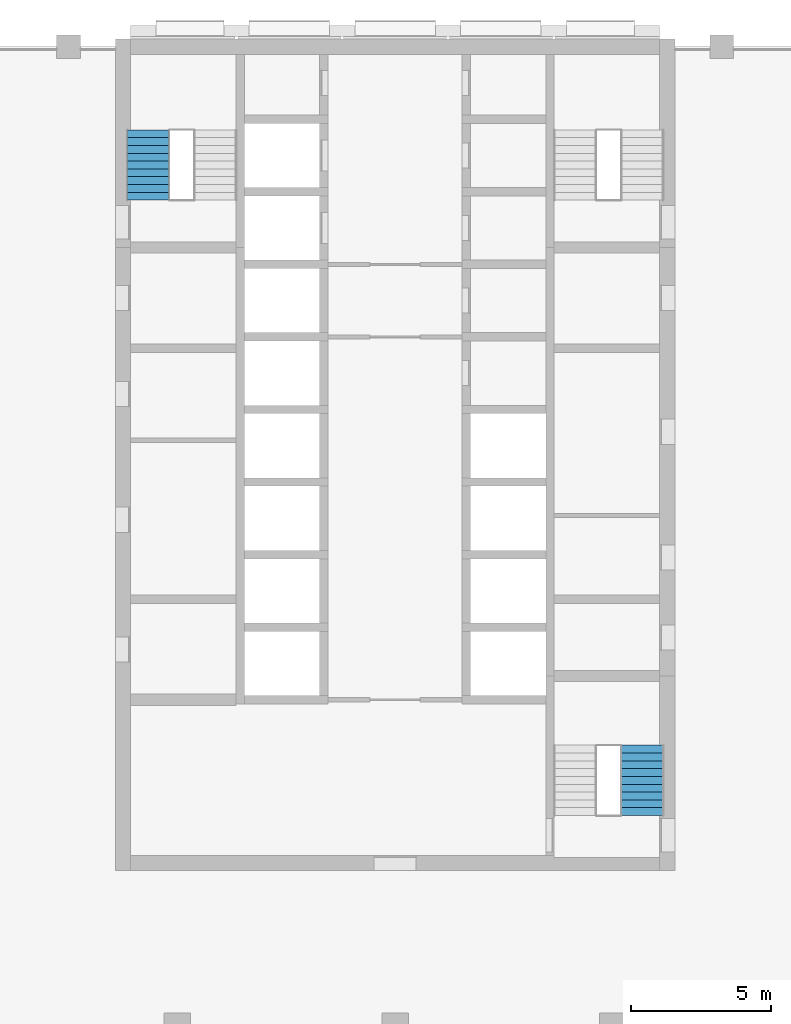
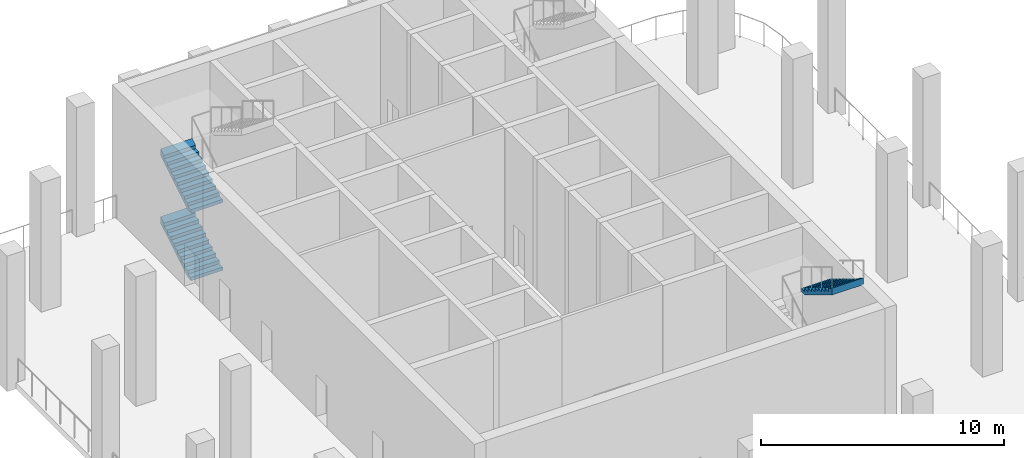
# One storey, part 5 of 10: 3 stair flights, 2 elements without a shape of their own.
"""IFC4 building model written with IfcOpenShell, lengths in metres."""

import ifcopenshell
import ifcopenshell.guid

model = None  # the IFC model being written
_history = None  # IfcOwnerHistory: only IFC2X3 demands one
_inside = {}  # id of a spatial element -> (the spatial element, [elements in it])
_under = {}  # id of a project, library or spatial element -> (it, [spatial elements below it])
_declared = {}  # id of a project -> (the project, [libraries it declares])
_typed = {}  # id of a type object -> (the type object, [elements of that type])
_made_of = {}  # id of a material, layer set ... -> (it, [elements and type objects made of it])


def new_model(schema):
    """Start an empty IFC model of exactly this schema.

    Asked for "IFC4X3", IfcOpenShell would pick the latest addendum, in which some entities
    have other attributes; the version numbers below select the first issue.
    IFC2X3 requires an IfcOwnerHistory on every rooted entity: one is made here for all.
    """
    global model, _history
    if schema == "IFC4X3":
        model = ifcopenshell.file(schema_version=(4, 3, 0, 0))
    else:
        model = ifcopenshell.file(schema=schema)
    _inside.clear()
    _under.clear()
    _declared.clear()
    _typed.clear()
    _made_of.clear()
    _history = None
    if model.schema == "IFC2X3":
        org = make("IfcOrganization", Name="unknown")
        user = make(
            "IfcPersonAndOrganization",
            ThePerson=make("IfcPerson", FamilyName="unknown"),
            TheOrganization=org,
        )
        app = make(
            "IfcApplication",
            ApplicationDeveloper=org,
            Version="unknown",
            ApplicationFullName="unknown",
            ApplicationIdentifier="unknown",
        )
        _history = make(
            "IfcOwnerHistory",
            OwningUser=user,
            OwningApplication=app,
            ChangeAction="ADDED",
            CreationDate=0,
        )
    return model


def make(cls, **values):
    """One entity of the class cls with the attributes given. An attribute that is None is left unset."""
    return model.create_entity(
        cls, **{name: value for name, value in values.items() if value is not None}
    )


def rooted(cls, **values):
    """An entity with a GlobalId (a new one), such as an element, a storey or a relation."""
    return make(cls, GlobalId=ifcopenshell.guid.new(), OwnerHistory=_history, **values)


def si_unit(unit_type, name, prefix=None):
    """IfcSIUnit, for example si_unit("LENGTHUNIT", "METRE", prefix="MILLI")."""
    return make("IfcSIUnit", UnitType=unit_type, Prefix=prefix, Name=name)


def assignment(units):
    """IfcUnitAssignment: the units of a project."""
    return None if units is None else make("IfcUnitAssignment", Units=units)


def point(xyz):
    """IfcCartesianPoint."""
    return None if xyz is None else make("IfcCartesianPoint", Coordinates=xyz)


def direction(xyz):
    """IfcDirection."""
    return None if xyz is None else make("IfcDirection", DirectionRatios=xyz)


def frame(location, z_axis=None, x_axis=None):
    """IfcAxis2Placement3D, a coordinate frame: its origin and axes. An axis left out is left unset."""
    return make(
        "IfcAxis2Placement3D",
        Location=point(location),
        Axis=direction(z_axis),
        RefDirection=direction(x_axis),
    )


def origin():
    """The frame at (0, 0, 0) with its axes left unset."""
    return frame((0.0, 0.0, 0.0))


def place(relative_to, where):
    """IfcLocalPlacement: puts the frame where relative to a parent placement (None: the world)."""
    return make(
        "IfcLocalPlacement", PlacementRelTo=relative_to, RelativePlacement=where
    )


def context(
    kind, dimensions, precision=None, world=None, true_north=None, identifier=None
):
    """IfcGeometricRepresentationContext, for example the 3D "Model" context."""
    return make(
        "IfcGeometricRepresentationContext",
        ContextIdentifier=identifier,
        ContextType=kind,
        CoordinateSpaceDimension=dimensions,
        Precision=precision,
        WorldCoordinateSystem=world,
        TrueNorth=true_north,
    )


def subcontext(parent, identifier, kind, view, scale=None):
    """IfcGeometricRepresentationSubContext, for example "Body" below "Model"."""
    return make(
        "IfcGeometricRepresentationSubContext",
        ContextIdentifier=identifier,
        ContextType=kind,
        ParentContext=parent,
        TargetScale=scale,
        TargetView=view,
    )


def project(units=None, contexts=None):
    """IfcProject with its units and contexts."""
    return rooted(
        "IfcProject",
        Name="project",
        RepresentationContexts=contexts,
        UnitsInContext=assignment(units),
    )


def spatial(cls, under=None, at=None, **own):
    """A site, building, storey or space (cls), placed at a placement, below another one or the project."""
    s = rooted(cls, ObjectPlacement=at, **own)
    if under is not None:
        _under.setdefault(under.id(), (under, []))[1].append(s)
    return s


def point_list(points):
    """IfcCartesianPointList2D or 3D."""
    cls = (
        "IfcCartesianPointList2D" if len(points[0]) == 2 else "IfcCartesianPointList3D"
    )
    return make(cls, CoordList=points)


def triangles(points, corners, closed=None, point_numbers=None):
    """IfcTriangulatedFaceSet: each triangle names its three corners, points numbered from 1."""
    return make(
        "IfcTriangulatedFaceSet",
        Coordinates=point_list(points),
        Closed=closed,
        CoordIndex=corners,
        PnIndex=point_numbers,
    )


def shape(context_of_items, identifier, shape_type, items):
    """IfcShapeRepresentation: the items that make up one representation, for example the "Body"."""
    return make(
        "IfcShapeRepresentation",
        ContextOfItems=context_of_items,
        RepresentationIdentifier=identifier,
        RepresentationType=shape_type,
        Items=items,
    )


def material(Name=None, Category=None):
    """IfcMaterial."""
    return make("IfcMaterial", Name=Name, Category=Category)


def made_of(thing, what):
    """Note that an element or type object is made of a material, layer set ...; save() writes the relation."""
    if what is not None:
        _made_of.setdefault(what.id(), (what, []))[1].append(thing)
    return thing


def type_object(cls, material=None, **own):
    """A type object (cls), such as IfcWallType, which elements share."""
    return made_of(rooted(cls, **own), material)


def element(
    cls,
    number,
    at=None,
    inside=None,
    cuts=None,
    type_object=None,
    material=None,
    context=None,
    identifier="Body",
    shape_type=None,
    held_by="IfcProductDefinitionShape",
    body=None,
    shapes=None,
    **own,
):
    """One element of the class cls, such as IfcWall. Its Tag is "e" and its number.

    at: its placement. inside: the storey or other place that contains it. cuts: it is an
    opening in that element (IfcRelVoidsElement). A single representation is given by context,
    identifier, shape_type and body (its items); several are given by shapes. held_by: the class
    of the entity that holds the representations. save() writes the other relations.
    """
    e = rooted(cls, Tag="e%d" % number, ObjectPlacement=at, **own)
    if body is not None:
        shapes = [shape(context, identifier, shape_type, body)]
    if shapes is not None:
        e.Representation = make(held_by, Representations=shapes)
    if inside is not None:
        _inside.setdefault(inside.id(), (inside, []))[1].append(e)
    if cuts is not None:
        rooted(
            "IfcRelVoidsElement", RelatingBuildingElement=cuts, RelatedOpeningElement=e
        )
    if type_object is not None:
        _typed.setdefault(type_object.id(), (type_object, []))[1].append(e)
    return made_of(e, material)


def aggregate(whole, parts):
    """IfcRelAggregates: a whole, such as a stair, and the parts it consists of."""
    return rooted("IfcRelAggregates", RelatingObject=whole, RelatedObjects=parts)


def save(model, path):
    """Write the relations noted so far, then the file.

    IfcRelAggregates (storeys below a building ...), IfcRelContainedInSpatialStructure (elements
    in a storey), IfcRelDefinesByType, IfcRelAssociatesMaterial and IfcRelDeclares: one each for
    every whole, place, type object, material and project.
    """
    for whole, parts in _under.values():
        aggregate(whole, parts)
    for where, things in _inside.values():
        rooted(
            "IfcRelContainedInSpatialStructure",
            RelatedElements=things,
            RelatingStructure=where,
        )
    for kind, things in _typed.values():
        rooted("IfcRelDefinesByType", RelatedObjects=things, RelatingType=kind)
    for what, things in _made_of.values():
        rooted("IfcRelAssociatesMaterial", RelatedObjects=things, RelatingMaterial=what)
    for by, libraries in _declared.values():
        rooted("IfcRelDeclares", RelatingContext=by, RelatedDefinitions=libraries)
    model.write(path)


model = new_model("IFC4")

# Units and contexts
model_context = context("Model", 3, precision=1e-05, world=origin(), true_north=direction((0.0, 1.0)))
body_context = subcontext(model_context, "Body", "Model", "MODEL_VIEW")
ifc_project = project(units=[si_unit("LENGTHUNIT", "METRE"), si_unit("AREAUNIT", "SQUARE_METRE"), si_unit("VOLUMEUNIT", "CUBIC_METRE"), si_unit("PLANEANGLEUNIT", "RADIAN"), si_unit("MASSUNIT", "GRAM", prefix="KILO")], contexts=[model_context])

# Site, building, storey
site_placement = place(None, origin())
site = spatial("IfcSite", under=ifc_project, at=site_placement, CompositionType="ELEMENT")
building_placement = place(site_placement, origin())
building = spatial("IfcBuilding", under=site, at=building_placement, Name="Ludao Terraces", CompositionType="ELEMENT")
storey_placement = place(building_placement, frame((0.0, 0.0, 116.89990234375)))
storey = spatial("IfcBuildingStorey", under=building, at=storey_placement, Name="L32", CompositionType="ELEMENT", Elevation=116.89990234375)

# Stair, stair flights
ifc_material = material(Name="Concrete C40", Category="concrete")
stair_type = type_object("IfcStairType", Name="INT Stair", PredefinedType="HALF_TURN_STAIR", material=ifc_material)
stair_1_placement = place(storey_placement, origin())
stair_1 = element("IfcStair", 1, at=stair_1_placement, inside=storey, type_object=stair_type, Name="EXIT STAIR 1", PredefinedType="HALF_TURN_STAIR")
stair_flight_type = type_object("IfcStairFlightType", Name="INT Stair flight", PredefinedType="STRAIGHT", material=ifc_material)
stair_flight_1_placement = place(storey_placement, frame((76.14990234375, 79.0, 0.0), z_axis=(0.0, 0.0, 1.0), x_axis=(0.0, 1.0, 0.0)))
stair_flight_1 = element("IfcStairFlight", 2, at=stair_flight_1_placement, type_object=stair_flight_type, Name="ST1 flight 1", NumberOfRisers=10, NumberOfTreads=9, PredefinedType="STRAIGHT", RiserHeight=0.17, TreadLength=0.28, context=body_context, shape_type="Tessellation", body=[
    triangles([(0.0, -0.75, 0.0), (0.0, -0.5, 0.0), (0.0, -0.25, 0.0), (0.0, 0.0, 0.0), (0.0, 0.25, 0.0), (0.0, 0.5, 0.0), (0.0, 0.75, 0.0), (0.0, -0.75, 0.169921875), (0.0, -0.5, 0.169921875), (0.0, -0.25, 0.169921875), (0.0, 0.0, 0.169921875), (0.0, 0.25, 0.169921875), (0.0, 0.5, 0.169921875), (0.0, 0.75, 0.169921875), (0.280029296875, -0.75, 0.169921875), (0.280029296875, -0.5, 0.169921875), (0.280029296875, -0.25, 0.169921875), (0.280029296875, 0.0, 0.169921875), (0.280029296875, 0.25, 0.169921875), (0.280029296875, 0.5, 0.169921875), (0.280029296875, 0.75, 0.169921875), (0.280029296875, -0.75, 0.340087890625), (0.280029296875, -0.5, 0.340087890625), (0.280029296875, -0.25, 0.340087890625), (0.280029296875, 0.0, 0.340087890625), (0.280029296875, 0.25, 0.340087890625), (0.280029296875, 0.5, 0.340087890625), (0.280029296875, 0.75, 0.340087890625), (0.56005859375, -0.75, 0.340087890625), (0.56005859375, -0.5, 0.340087890625), (0.56005859375, -0.25, 0.340087890625), (0.56005859375, 0.0, 0.340087890625), (0.56005859375, 0.25, 0.340087890625), (0.56005859375, 0.5, 0.340087890625), (0.56005859375, 0.75, 0.340087890625), (0.56005859375, -0.75, 0.510009765625), (0.56005859375, -0.5, 0.510009765625), (0.56005859375, -0.25, 0.510009765625), (0.56005859375, 0.0, 0.510009765625), (0.56005859375, 0.25, 0.510009765625), (0.56005859375, 0.5, 0.510009765625), (0.56005859375, 0.75, 0.510009765625), (0.840087890625, -0.75, 0.510009765625), (0.840087890625, -0.5, 0.510009765625), (0.840087890625, -0.25, 0.510009765625), (0.840087890625, 0.0, 0.510009765625), (0.840087890625, 0.25, 0.510009765625), (0.840087890625, 0.5, 0.510009765625), (0.840087890625, 0.75, 0.510009765625), (0.840087890625, -0.75, 0.679931640625), (0.840087890625, -0.5, 0.679931640625), (0.840087890625, -0.25, 0.679931640625), (0.840087890625, 0.0, 0.679931640625), (0.840087890625, 0.25, 0.679931640625), (0.840087890625, 0.5, 0.679931640625), (0.840087890625, 0.75, 0.679931640625), (1.1201171875, -0.75, 0.679931640625), (1.1201171875, -0.5, 0.679931640625), (1.1201171875, -0.25, 0.679931640625), (1.1201171875, 0.0, 0.679931640625), (1.1201171875, 0.25, 0.679931640625), (1.1201171875, 0.5, 0.679931640625), (1.1201171875, 0.75, 0.679931640625), (1.1201171875, -0.75, 0.85009765625), (1.1201171875, -0.5, 0.85009765625), (1.1201171875, -0.25, 0.85009765625), (1.1201171875, 0.0, 0.85009765625), (1.1201171875, 0.25, 0.85009765625), (1.1201171875, 0.5, 0.85009765625), (1.1201171875, 0.75, 0.85009765625), (1.39990234375, -0.75, 0.85009765625), (1.39990234375, -0.5, 0.85009765625), (1.39990234375, -0.25, 0.85009765625), (1.39990234375, 0.0, 0.85009765625), (1.39990234375, 0.25, 0.85009765625), (1.39990234375, 0.5, 0.85009765625), (1.39990234375, 0.75, 0.85009765625), (1.39990234375, -0.75, 1.02001953125), (1.39990234375, -0.5, 1.02001953125), (1.39990234375, -0.25, 1.02001953125), (1.39990234375, 0.0, 1.02001953125), (1.39990234375, 0.25, 1.02001953125), (1.39990234375, 0.5, 1.02001953125), (1.39990234375, 0.75, 1.02001953125), (1.679931640625, -0.75, 1.02001953125), (1.679931640625, -0.5, 1.02001953125), (1.679931640625, -0.25, 1.02001953125), (1.679931640625, 0.0, 1.02001953125), (1.679931640625, 0.25, 1.02001953125), (1.679931640625, 0.5, 1.02001953125), (1.679931640625, 0.75, 1.02001953125), (1.679931640625, -0.75, 1.18994140625), (1.679931640625, -0.5, 1.18994140625), (1.679931640625, -0.25, 1.18994140625), (1.679931640625, 0.0, 1.18994140625), (1.679931640625, 0.25, 1.18994140625), (1.679931640625, 0.5, 1.18994140625), (1.679931640625, 0.75, 1.18994140625), (1.9599609375, -0.75, 1.18994140625), (1.9599609375, -0.5, 1.18994140625), (1.9599609375, -0.25, 1.18994140625), (1.9599609375, 0.0, 1.18994140625), (1.9599609375, 0.25, 1.18994140625), (1.9599609375, 0.5, 1.18994140625), (1.9599609375, 0.75, 1.18994140625), (1.9599609375, -0.75, 1.360107421875), (1.9599609375, -0.5, 1.360107421875), (1.9599609375, -0.25, 1.360107421875), (1.9599609375, 0.0, 1.360107421875), (1.9599609375, 0.25, 1.360107421875), (1.9599609375, 0.5, 1.360107421875), (1.9599609375, 0.75, 1.360107421875), (2.239990234375, -0.75, 1.360107421875), (2.239990234375, -0.5, 1.360107421875), (2.239990234375, -0.25, 1.360107421875), (2.239990234375, 0.0, 1.360107421875), (2.239990234375, 0.25, 1.360107421875), (2.239990234375, 0.5, 1.360107421875), (2.239990234375, 0.75, 1.360107421875), (2.239990234375, -0.75, 1.530029296875), (2.239990234375, -0.5, 1.530029296875), (2.239990234375, -0.25, 1.530029296875), (2.239990234375, 0.0, 1.530029296875), (2.239990234375, 0.25, 1.530029296875), (2.239990234375, 0.5, 1.530029296875), (2.239990234375, 0.75, 1.530029296875), (2.52001953125, -0.75, 1.699951171875), (2.52001953125, -0.5, 1.699951171875), (2.52001953125, -0.25, 1.699951171875), (2.52001953125, 0.0, 1.699951171875), (2.52001953125, 0.25, 1.699951171875), (2.52001953125, 0.5, 1.699951171875), (2.52001953125, 0.75, 1.699951171875), (2.52001953125, -0.75, 1.354736328125), (2.52001953125, -0.5, 1.354736328125), (2.52001953125, -0.25, 1.354736328125), (2.52001953125, 0.0, 1.354736328125), (2.52001953125, 0.25, 1.354736328125), (2.52001953125, 0.5, 1.354736328125), (2.52001953125, 0.75, 1.354736328125), (0.288818359375, -0.75, 0.0), (0.288818359375, -0.5, 0.0), (0.288818359375, -0.25, 0.0), (0.288818359375, 0.0, 0.0), (0.288818359375, 0.25, 0.0), (0.288818359375, 0.5, 0.0), (0.288818359375, 0.75, 0.0)], [[1, 141, 134], [7, 140, 147], [134, 127, 120], [140, 126, 133], [134, 120, 113], [140, 119, 126], [134, 113, 106], [140, 112, 119], [134, 106, 99], [140, 105, 112], [99, 92, 85], [105, 91, 98], [134, 99, 85], [140, 91, 105], [85, 78, 71], [91, 77, 84], [134, 85, 71], [140, 77, 91], [71, 64, 57], [77, 63, 70], [134, 71, 57], [140, 63, 77], [57, 50, 43], [63, 49, 56], [134, 57, 43], [140, 49, 63], [43, 36, 29], [49, 35, 42], [134, 43, 29], [140, 35, 49], [29, 22, 15], [35, 21, 28], [134, 29, 15], [140, 21, 35], [1, 134, 15], [7, 21, 140], [15, 8, 1], [21, 7, 14], [1, 9, 2], [1, 8, 9], [2, 10, 3], [2, 9, 10], [3, 11, 4], [3, 10, 11], [4, 12, 5], [4, 11, 12], [5, 13, 6], [5, 12, 13], [6, 14, 7], [6, 13, 14], [8, 16, 9], [8, 15, 16], [9, 17, 10], [9, 16, 17], [10, 18, 11], [10, 17, 18], [11, 19, 12], [11, 18, 19], [12, 20, 13], [12, 19, 20], [13, 21, 14], [13, 20, 21], [15, 23, 16], [15, 22, 23], [16, 24, 17], [16, 23, 24], [17, 25, 18], [17, 24, 25], [18, 26, 19], [18, 25, 26], [19, 27, 20], [19, 26, 27], [20, 28, 21], [20, 27, 28], [22, 30, 23], [22, 29, 30], [23, 31, 24], [23, 30, 31], [24, 32, 25], [24, 31, 32], [25, 33, 26], [25, 32, 33], [26, 34, 27], [26, 33, 34], [27, 35, 28], [27, 34, 35], [29, 37, 30], [29, 36, 37], [30, 38, 31], [30, 37, 38], [31, 39, 32], [31, 38, 39], [32, 40, 33], [32, 39, 40], [33, 41, 34], [33, 40, 41], [34, 42, 35], [34, 41, 42], [36, 44, 37], [36, 43, 44], [37, 45, 38], [37, 44, 45], [38, 46, 39], [38, 45, 46], [39, 47, 40], [39, 46, 47], [40, 48, 41], [40, 47, 48], [41, 49, 42], [41, 48, 49], [43, 51, 44], [43, 50, 51], [44, 52, 45], [44, 51, 52], [45, 53, 46], [45, 52, 53], [46, 54, 47], [46, 53, 54], [47, 55, 48], [47, 54, 55], [48, 56, 49], [48, 55, 56], [50, 58, 51], [50, 57, 58], [51, 59, 52], [51, 58, 59], [52, 60, 53], [52, 59, 60], [53, 61, 54], [53, 60, 61], [54, 62, 55], [54, 61, 62], [55, 63, 56], [55, 62, 63], [57, 65, 58], [57, 64, 65], [58, 66, 59], [58, 65, 66], [59, 67, 60], [59, 66, 67], [60, 68, 61], [60, 67, 68], [61, 69, 62], [61, 68, 69], [62, 70, 63], [62, 69, 70], [64, 72, 65], [64, 71, 72], [65, 73, 66], [65, 72, 73], [66, 74, 67], [66, 73, 74], [67, 75, 68], [67, 74, 75], [68, 76, 69], [68, 75, 76], [69, 77, 70], [69, 76, 77], [71, 79, 72], [71, 78, 79], [72, 80, 73], [72, 79, 80], [73, 81, 74], [73, 80, 81], [74, 82, 75], [74, 81, 82], [75, 83, 76], [75, 82, 83], [76, 84, 77], [76, 83, 84], [78, 86, 79], [78, 85, 86], [79, 87, 80], [79, 86, 87], [80, 88, 81], [80, 87, 88], [81, 89, 82], [81, 88, 89], [82, 90, 83], [82, 89, 90], [83, 91, 84], [83, 90, 91], [85, 93, 86], [85, 92, 93], [86, 94, 87], [86, 93, 94], [87, 95, 88], [87, 94, 95], [88, 96, 89], [88, 95, 96], [89, 97, 90], [89, 96, 97], [90, 98, 91], [90, 97, 98], [92, 100, 93], [92, 99, 100], [93, 101, 94], [93, 100, 101], [94, 102, 95], [94, 101, 102], [95, 103, 96], [95, 102, 103], [96, 104, 97], [96, 103, 104], [97, 105, 98], [97, 104, 105], [99, 107, 100], [99, 106, 107], [100, 108, 101], [100, 107, 108], [101, 109, 102], [101, 108, 109], [102, 110, 103], [102, 109, 110], [103, 111, 104], [103, 110, 111], [104, 112, 105], [104, 111, 112], [106, 114, 107], [106, 113, 114], [107, 115, 108], [107, 114, 115], [108, 116, 109], [108, 115, 116], [109, 117, 110], [109, 116, 117], [110, 118, 111], [110, 117, 118], [111, 119, 112], [111, 118, 119], [113, 121, 114], [113, 120, 121], [114, 122, 115], [114, 121, 122], [115, 123, 116], [115, 122, 123], [116, 124, 117], [116, 123, 124], [117, 125, 118], [117, 124, 125], [118, 126, 119], [118, 125, 126], [120, 128, 121], [120, 127, 128], [121, 129, 122], [121, 128, 129], [122, 130, 123], [122, 129, 130], [123, 131, 124], [123, 130, 131], [124, 132, 125], [124, 131, 132], [125, 133, 126], [125, 132, 133], [127, 135, 128], [127, 134, 135], [128, 136, 129], [128, 135, 136], [129, 137, 130], [129, 136, 137], [130, 138, 131], [130, 137, 138], [131, 139, 132], [131, 138, 139], [132, 140, 133], [132, 139, 140], [134, 142, 135], [134, 141, 142], [135, 143, 136], [135, 142, 143], [136, 144, 137], [136, 143, 144], [137, 145, 138], [137, 144, 145], [138, 146, 139], [138, 145, 146], [139, 147, 140], [139, 146, 147], [141, 2, 142], [141, 1, 2], [142, 3, 143], [142, 2, 3], [143, 4, 144], [143, 3, 4], [144, 5, 145], [144, 4, 5], [145, 6, 146], [145, 5, 6], [146, 7, 147], [146, 6, 7]], closed=True),
])
stair_flight_2_placement = place(storey_placement, frame((76.14990234375, 79.0, 3.400146484375), z_axis=(0.0, 0.0, 1.0), x_axis=(0.0, 1.0, 0.0)))
stair_flight_2 = element("IfcStairFlight", 3, at=stair_flight_2_placement, type_object=stair_flight_type, Name="ST1 flight 3", NumberOfRisers=10, NumberOfTreads=9, PredefinedType="STRAIGHT", RiserHeight=0.17, TreadLength=0.28, context=body_context, shape_type="Tessellation", body=[
    triangles([(0.0, -0.75, 0.0), (0.0, -0.5, 0.0), (0.0, -0.25, 0.0), (0.0, 0.0, 0.0), (0.0, 0.25, 0.0), (0.0, 0.5, 0.0), (0.0, 0.75, 0.0), (0.0, -0.75, 0.169921875), (0.0, -0.5, 0.169921875), (0.0, -0.25, 0.169921875), (0.0, 0.0, 0.169921875), (0.0, 0.25, 0.169921875), (0.0, 0.5, 0.169921875), (0.0, 0.75, 0.169921875), (0.280029296875, -0.75, 0.169921875), (0.280029296875, -0.5, 0.169921875), (0.280029296875, -0.25, 0.169921875), (0.280029296875, 0.0, 0.169921875), (0.280029296875, 0.25, 0.169921875), (0.280029296875, 0.5, 0.169921875), (0.280029296875, 0.75, 0.169921875), (0.280029296875, -0.75, 0.340087890625), (0.280029296875, -0.5, 0.340087890625), (0.280029296875, -0.25, 0.340087890625), (0.280029296875, 0.0, 0.340087890625), (0.280029296875, 0.25, 0.340087890625), (0.280029296875, 0.5, 0.340087890625), (0.280029296875, 0.75, 0.340087890625), (0.56005859375, -0.75, 0.340087890625), (0.56005859375, -0.5, 0.340087890625), (0.56005859375, -0.25, 0.340087890625), (0.56005859375, 0.0, 0.340087890625), (0.56005859375, 0.25, 0.340087890625), (0.56005859375, 0.5, 0.340087890625), (0.56005859375, 0.75, 0.340087890625), (0.56005859375, -0.75, 0.510009765625), (0.56005859375, -0.5, 0.510009765625), (0.56005859375, -0.25, 0.510009765625), (0.56005859375, 0.0, 0.510009765625), (0.56005859375, 0.25, 0.510009765625), (0.56005859375, 0.5, 0.510009765625), (0.56005859375, 0.75, 0.510009765625), (0.840087890625, -0.75, 0.510009765625), (0.840087890625, -0.5, 0.510009765625), (0.840087890625, -0.25, 0.510009765625), (0.840087890625, 0.0, 0.510009765625), (0.840087890625, 0.25, 0.510009765625), (0.840087890625, 0.5, 0.510009765625), (0.840087890625, 0.75, 0.510009765625), (0.840087890625, -0.75, 0.679931640625), (0.840087890625, -0.5, 0.679931640625), (0.840087890625, -0.25, 0.679931640625), (0.840087890625, 0.0, 0.679931640625), (0.840087890625, 0.25, 0.679931640625), (0.840087890625, 0.5, 0.679931640625), (0.840087890625, 0.75, 0.679931640625), (1.1201171875, -0.75, 0.679931640625), (1.1201171875, -0.5, 0.679931640625), (1.1201171875, -0.25, 0.679931640625), (1.1201171875, 0.0, 0.679931640625), (1.1201171875, 0.25, 0.679931640625), (1.1201171875, 0.5, 0.679931640625), (1.1201171875, 0.75, 0.679931640625), (1.1201171875, -0.75, 0.85009765625), (1.1201171875, -0.5, 0.85009765625), (1.1201171875, -0.25, 0.85009765625), (1.1201171875, 0.0, 0.85009765625), (1.1201171875, 0.25, 0.85009765625), (1.1201171875, 0.5, 0.85009765625), (1.1201171875, 0.75, 0.85009765625), (1.39990234375, -0.75, 0.85009765625), (1.39990234375, -0.5, 0.85009765625), (1.39990234375, -0.25, 0.85009765625), (1.39990234375, 0.0, 0.85009765625), (1.39990234375, 0.25, 0.85009765625), (1.39990234375, 0.5, 0.85009765625), (1.39990234375, 0.75, 0.85009765625), (1.39990234375, -0.75, 1.02001953125), (1.39990234375, -0.5, 1.02001953125), (1.39990234375, -0.25, 1.02001953125), (1.39990234375, 0.0, 1.02001953125), (1.39990234375, 0.25, 1.02001953125), (1.39990234375, 0.5, 1.02001953125), (1.39990234375, 0.75, 1.02001953125), (1.679931640625, -0.75, 1.02001953125), (1.679931640625, -0.5, 1.02001953125), (1.679931640625, -0.25, 1.02001953125), (1.679931640625, 0.0, 1.02001953125), (1.679931640625, 0.25, 1.02001953125), (1.679931640625, 0.5, 1.02001953125), (1.679931640625, 0.75, 1.02001953125), (1.679931640625, -0.75, 1.18994140625), (1.679931640625, -0.5, 1.18994140625), (1.679931640625, -0.25, 1.18994140625), (1.679931640625, 0.0, 1.18994140625), (1.679931640625, 0.25, 1.18994140625), (1.679931640625, 0.5, 1.18994140625), (1.679931640625, 0.75, 1.18994140625), (1.9599609375, -0.75, 1.18994140625), (1.9599609375, -0.5, 1.18994140625), (1.9599609375, -0.25, 1.18994140625), (1.9599609375, 0.0, 1.18994140625), (1.9599609375, 0.25, 1.18994140625), (1.9599609375, 0.5, 1.18994140625), (1.9599609375, 0.75, 1.18994140625), (1.9599609375, -0.75, 1.360107421875), (1.9599609375, -0.5, 1.360107421875), (1.9599609375, -0.25, 1.360107421875), (1.9599609375, 0.0, 1.360107421875), (1.9599609375, 0.25, 1.360107421875), (1.9599609375, 0.5, 1.360107421875), (1.9599609375, 0.75, 1.360107421875), (2.239990234375, -0.75, 1.360107421875), (2.239990234375, -0.5, 1.360107421875), (2.239990234375, -0.25, 1.360107421875), (2.239990234375, 0.0, 1.360107421875), (2.239990234375, 0.25, 1.360107421875), (2.239990234375, 0.5, 1.360107421875), (2.239990234375, 0.75, 1.360107421875), (2.239990234375, -0.75, 1.530029296875), (2.239990234375, -0.5, 1.530029296875), (2.239990234375, -0.25, 1.530029296875), (2.239990234375, 0.0, 1.530029296875), (2.239990234375, 0.25, 1.530029296875), (2.239990234375, 0.5, 1.530029296875), (2.239990234375, 0.75, 1.530029296875), (2.52001953125, -0.75, 1.699951171875), (2.52001953125, -0.5, 1.699951171875), (2.52001953125, -0.25, 1.699951171875), (2.52001953125, 0.0, 1.699951171875), (2.52001953125, 0.25, 1.699951171875), (2.52001953125, 0.5, 1.699951171875), (2.52001953125, 0.75, 1.699951171875), (2.52001953125, -0.75, 1.354736328125), (2.52001953125, -0.5, 1.354736328125), (2.52001953125, -0.25, 1.354736328125), (2.52001953125, 0.0, 1.354736328125), (2.52001953125, 0.25, 1.354736328125), (2.52001953125, 0.5, 1.354736328125), (2.52001953125, 0.75, 1.354736328125), (0.288818359375, -0.75, 0.0), (0.288818359375, -0.5, 0.0), (0.288818359375, -0.25, 0.0), (0.288818359375, 0.0, 0.0), (0.288818359375, 0.25, 0.0), (0.288818359375, 0.5, 0.0), (0.288818359375, 0.75, 0.0)], [[1, 141, 134], [7, 140, 147], [134, 127, 120], [140, 126, 133], [134, 120, 113], [140, 119, 126], [134, 113, 106], [140, 112, 119], [134, 106, 99], [140, 105, 112], [99, 92, 85], [105, 91, 98], [134, 99, 85], [140, 91, 105], [85, 78, 71], [91, 77, 84], [134, 85, 71], [140, 77, 91], [71, 64, 57], [77, 63, 70], [134, 71, 57], [140, 63, 77], [57, 50, 43], [63, 49, 56], [134, 57, 43], [140, 49, 63], [43, 36, 29], [49, 35, 42], [134, 43, 29], [140, 35, 49], [29, 22, 15], [35, 21, 28], [134, 29, 15], [140, 21, 35], [1, 134, 15], [7, 21, 140], [15, 8, 1], [21, 7, 14], [1, 9, 2], [1, 8, 9], [2, 10, 3], [2, 9, 10], [3, 11, 4], [3, 10, 11], [4, 12, 5], [4, 11, 12], [5, 13, 6], [5, 12, 13], [6, 14, 7], [6, 13, 14], [8, 16, 9], [8, 15, 16], [9, 17, 10], [9, 16, 17], [10, 18, 11], [10, 17, 18], [11, 19, 12], [11, 18, 19], [12, 20, 13], [12, 19, 20], [13, 21, 14], [13, 20, 21], [15, 23, 16], [15, 22, 23], [16, 24, 17], [16, 23, 24], [17, 25, 18], [17, 24, 25], [18, 26, 19], [18, 25, 26], [19, 27, 20], [19, 26, 27], [20, 28, 21], [20, 27, 28], [22, 30, 23], [22, 29, 30], [23, 31, 24], [23, 30, 31], [24, 32, 25], [24, 31, 32], [25, 33, 26], [25, 32, 33], [26, 34, 27], [26, 33, 34], [27, 35, 28], [27, 34, 35], [29, 37, 30], [29, 36, 37], [30, 38, 31], [30, 37, 38], [31, 39, 32], [31, 38, 39], [32, 40, 33], [32, 39, 40], [33, 41, 34], [33, 40, 41], [34, 42, 35], [34, 41, 42], [36, 44, 37], [36, 43, 44], [37, 45, 38], [37, 44, 45], [38, 46, 39], [38, 45, 46], [39, 47, 40], [39, 46, 47], [40, 48, 41], [40, 47, 48], [41, 49, 42], [41, 48, 49], [43, 51, 44], [43, 50, 51], [44, 52, 45], [44, 51, 52], [45, 53, 46], [45, 52, 53], [46, 54, 47], [46, 53, 54], [47, 55, 48], [47, 54, 55], [48, 56, 49], [48, 55, 56], [50, 58, 51], [50, 57, 58], [51, 59, 52], [51, 58, 59], [52, 60, 53], [52, 59, 60], [53, 61, 54], [53, 60, 61], [54, 62, 55], [54, 61, 62], [55, 63, 56], [55, 62, 63], [57, 65, 58], [57, 64, 65], [58, 66, 59], [58, 65, 66], [59, 67, 60], [59, 66, 67], [60, 68, 61], [60, 67, 68], [61, 69, 62], [61, 68, 69], [62, 70, 63], [62, 69, 70], [64, 72, 65], [64, 71, 72], [65, 73, 66], [65, 72, 73], [66, 74, 67], [66, 73, 74], [67, 75, 68], [67, 74, 75], [68, 76, 69], [68, 75, 76], [69, 77, 70], [69, 76, 77], [71, 79, 72], [71, 78, 79], [72, 80, 73], [72, 79, 80], [73, 81, 74], [73, 80, 81], [74, 82, 75], [74, 81, 82], [75, 83, 76], [75, 82, 83], [76, 84, 77], [76, 83, 84], [78, 86, 79], [78, 85, 86], [79, 87, 80], [79, 86, 87], [80, 88, 81], [80, 87, 88], [81, 89, 82], [81, 88, 89], [82, 90, 83], [82, 89, 90], [83, 91, 84], [83, 90, 91], [85, 93, 86], [85, 92, 93], [86, 94, 87], [86, 93, 94], [87, 95, 88], [87, 94, 95], [88, 96, 89], [88, 95, 96], [89, 97, 90], [89, 96, 97], [90, 98, 91], [90, 97, 98], [92, 100, 93], [92, 99, 100], [93, 101, 94], [93, 100, 101], [94, 102, 95], [94, 101, 102], [95, 103, 96], [95, 102, 103], [96, 104, 97], [96, 103, 104], [97, 105, 98], [97, 104, 105], [99, 107, 100], [99, 106, 107], [100, 108, 101], [100, 107, 108], [101, 109, 102], [101, 108, 109], [102, 110, 103], [102, 109, 110], [103, 111, 104], [103, 110, 111], [104, 112, 105], [104, 111, 112], [106, 114, 107], [106, 113, 114], [107, 115, 108], [107, 114, 115], [108, 116, 109], [108, 115, 116], [109, 117, 110], [109, 116, 117], [110, 118, 111], [110, 117, 118], [111, 119, 112], [111, 118, 119], [113, 121, 114], [113, 120, 121], [114, 122, 115], [114, 121, 122], [115, 123, 116], [115, 122, 123], [116, 124, 117], [116, 123, 124], [117, 125, 118], [117, 124, 125], [118, 126, 119], [118, 125, 126], [120, 128, 121], [120, 127, 128], [121, 129, 122], [121, 128, 129], [122, 130, 123], [122, 129, 130], [123, 131, 124], [123, 130, 131], [124, 132, 125], [124, 131, 132], [125, 133, 126], [125, 132, 133], [127, 135, 128], [127, 134, 135], [128, 136, 129], [128, 135, 136], [129, 137, 130], [129, 136, 137], [130, 138, 131], [130, 137, 138], [131, 139, 132], [131, 138, 139], [132, 140, 133], [132, 139, 140], [134, 142, 135], [134, 141, 142], [135, 143, 136], [135, 142, 143], [136, 144, 137], [136, 143, 144], [137, 145, 138], [137, 144, 145], [138, 146, 139], [138, 145, 146], [139, 147, 140], [139, 146, 147], [141, 2, 142], [141, 1, 2], [142, 3, 143], [142, 2, 3], [143, 4, 144], [143, 3, 4], [144, 5, 145], [144, 4, 5], [145, 6, 146], [145, 5, 6], [146, 7, 147], [146, 6, 7]], closed=True),
])
aggregate(stair_1, [stair_flight_1, stair_flight_2])

# Stair, stair flight
stair_2_placement = place(storey_placement, origin())
stair_2 = element("IfcStair", 4, at=stair_2_placement, inside=storey, type_object=stair_type, Name="EXIT STAIR 3", PredefinedType="HALF_TURN_STAIR")
stair_flight_3_placement = place(storey_placement, frame((93.85009765625, 59.469970703125, 5.10009765625), z_axis=(0.0, 0.0, 1.0), x_axis=(0.0, -1.0, 0.0)))
stair_flight_3 = element("IfcStairFlight", 5, at=stair_flight_3_placement, type_object=stair_flight_type, Name="ST3 flight 4", NumberOfRisers=10, NumberOfTreads=9, PredefinedType="STRAIGHT", RiserHeight=0.17, TreadLength=0.28, context=body_context, shape_type="Tessellation", body=[
    triangles([(0.0, -0.75, 0.0), (0.0, -0.5, 0.0), (0.0, -0.25, 0.0), (0.0, 0.0, 0.0), (0.0, 0.25, 0.0), (0.0, 0.5, 0.0), (0.0, 0.75, 0.0), (0.0, -0.75, 0.169921875), (0.0, -0.5, 0.169921875), (0.0, -0.25, 0.169921875), (0.0, 0.0, 0.169921875), (0.0, 0.25, 0.169921875), (0.0, 0.5, 0.169921875), (0.0, 0.75, 0.169921875), (0.280029296875, -0.75, 0.169921875), (0.280029296875, -0.5, 0.169921875), (0.280029296875, -0.25, 0.169921875), (0.280029296875, 0.0, 0.169921875), (0.280029296875, 0.25, 0.169921875), (0.280029296875, 0.5, 0.169921875), (0.280029296875, 0.75, 0.169921875), (0.280029296875, -0.75, 0.340087890625), (0.280029296875, -0.5, 0.340087890625), (0.280029296875, -0.25, 0.340087890625), (0.280029296875, 0.0, 0.340087890625), (0.280029296875, 0.25, 0.340087890625), (0.280029296875, 0.5, 0.340087890625), (0.280029296875, 0.75, 0.340087890625), (0.56005859375, -0.75, 0.340087890625), (0.56005859375, -0.5, 0.340087890625), (0.56005859375, -0.25, 0.340087890625), (0.56005859375, 0.0, 0.340087890625), (0.56005859375, 0.25, 0.340087890625), (0.56005859375, 0.5, 0.340087890625), (0.56005859375, 0.75, 0.340087890625), (0.56005859375, -0.75, 0.510009765625), (0.56005859375, -0.5, 0.510009765625), (0.56005859375, -0.25, 0.510009765625), (0.56005859375, 0.0, 0.510009765625), (0.56005859375, 0.25, 0.510009765625), (0.56005859375, 0.5, 0.510009765625), (0.56005859375, 0.75, 0.510009765625), (0.840087890625, -0.75, 0.510009765625), (0.840087890625, -0.5, 0.510009765625), (0.840087890625, -0.25, 0.510009765625), (0.840087890625, 0.0, 0.510009765625), (0.840087890625, 0.25, 0.510009765625), (0.840087890625, 0.5, 0.510009765625), (0.840087890625, 0.75, 0.510009765625), (0.840087890625, -0.75, 0.679931640625), (0.840087890625, -0.5, 0.679931640625), (0.840087890625, -0.25, 0.679931640625), (0.840087890625, 0.0, 0.679931640625), (0.840087890625, 0.25, 0.679931640625), (0.840087890625, 0.5, 0.679931640625), (0.840087890625, 0.75, 0.679931640625), (1.1201171875, -0.75, 0.679931640625), (1.1201171875, -0.5, 0.679931640625), (1.1201171875, -0.25, 0.679931640625), (1.1201171875, 0.0, 0.679931640625), (1.1201171875, 0.25, 0.679931640625), (1.1201171875, 0.5, 0.679931640625), (1.1201171875, 0.75, 0.679931640625), (1.1201171875, -0.75, 0.85009765625), (1.1201171875, -0.5, 0.85009765625), (1.1201171875, -0.25, 0.85009765625), (1.1201171875, 0.0, 0.85009765625), (1.1201171875, 0.25, 0.85009765625), (1.1201171875, 0.5, 0.85009765625), (1.1201171875, 0.75, 0.85009765625), (1.39990234375, -0.75, 0.85009765625), (1.39990234375, -0.5, 0.85009765625), (1.39990234375, -0.25, 0.85009765625), (1.39990234375, 0.0, 0.85009765625), (1.39990234375, 0.25, 0.85009765625), (1.39990234375, 0.5, 0.85009765625), (1.39990234375, 0.75, 0.85009765625), (1.39990234375, -0.75, 1.02001953125), (1.39990234375, -0.5, 1.02001953125), (1.39990234375, -0.25, 1.02001953125), (1.39990234375, 0.0, 1.02001953125), (1.39990234375, 0.25, 1.02001953125), (1.39990234375, 0.5, 1.02001953125), (1.39990234375, 0.75, 1.02001953125), (1.679931640625, -0.75, 1.02001953125), (1.679931640625, -0.5, 1.02001953125), (1.679931640625, -0.25, 1.02001953125), (1.679931640625, 0.0, 1.02001953125), (1.679931640625, 0.25, 1.02001953125), (1.679931640625, 0.5, 1.02001953125), (1.679931640625, 0.75, 1.02001953125), (1.679931640625, -0.75, 1.18994140625), (1.679931640625, -0.5, 1.18994140625), (1.679931640625, -0.25, 1.18994140625), (1.679931640625, 0.0, 1.18994140625), (1.679931640625, 0.25, 1.18994140625), (1.679931640625, 0.5, 1.18994140625), (1.679931640625, 0.75, 1.18994140625), (1.9599609375, -0.75, 1.18994140625), (1.9599609375, -0.5, 1.18994140625), (1.9599609375, -0.25, 1.18994140625), (1.9599609375, 0.0, 1.18994140625), (1.9599609375, 0.25, 1.18994140625), (1.9599609375, 0.5, 1.18994140625), (1.9599609375, 0.75, 1.18994140625), (1.9599609375, -0.75, 1.360107421875), (1.9599609375, -0.5, 1.360107421875), (1.9599609375, -0.25, 1.360107421875), (1.9599609375, 0.0, 1.360107421875), (1.9599609375, 0.25, 1.360107421875), (1.9599609375, 0.5, 1.360107421875), (1.9599609375, 0.75, 1.360107421875), (2.239990234375, -0.75, 1.360107421875), (2.239990234375, -0.5, 1.360107421875), (2.239990234375, -0.25, 1.360107421875), (2.239990234375, 0.0, 1.360107421875), (2.239990234375, 0.25, 1.360107421875), (2.239990234375, 0.5, 1.360107421875), (2.239990234375, 0.75, 1.360107421875), (2.239990234375, -0.75, 1.530029296875), (2.239990234375, -0.5, 1.530029296875), (2.239990234375, -0.25, 1.530029296875), (2.239990234375, 0.0, 1.530029296875), (2.239990234375, 0.25, 1.530029296875), (2.239990234375, 0.5, 1.530029296875), (2.239990234375, 0.75, 1.530029296875), (2.52001953125, -0.75, 1.699951171875), (2.52001953125, -0.5, 1.699951171875), (2.52001953125, -0.25, 1.699951171875), (2.52001953125, 0.0, 1.699951171875), (2.52001953125, 0.25, 1.699951171875), (2.52001953125, 0.5, 1.699951171875), (2.52001953125, 0.75, 1.699951171875), (2.52001953125, -0.75, 1.354736328125), (2.52001953125, -0.5, 1.354736328125), (2.52001953125, -0.25, 1.354736328125), (2.52001953125, 0.0, 1.354736328125), (2.52001953125, 0.25, 1.354736328125), (2.52001953125, 0.5, 1.354736328125), (2.52001953125, 0.75, 1.354736328125), (0.288818359375, -0.75, 0.0), (0.288818359375, -0.5, 0.0), (0.288818359375, -0.25, 0.0), (0.288818359375, 0.0, 0.0), (0.288818359375, 0.25, 0.0), (0.288818359375, 0.5, 0.0), (0.288818359375, 0.75, 0.0)], [[1, 141, 134], [7, 140, 147], [134, 127, 120], [140, 126, 133], [134, 120, 113], [140, 119, 126], [134, 113, 106], [140, 112, 119], [134, 106, 99], [140, 105, 112], [99, 92, 85], [105, 91, 98], [134, 99, 85], [140, 91, 105], [85, 78, 71], [91, 77, 84], [134, 85, 71], [140, 77, 91], [71, 64, 57], [77, 63, 70], [134, 71, 57], [140, 63, 77], [57, 50, 43], [63, 49, 56], [134, 57, 43], [140, 49, 63], [43, 36, 29], [49, 35, 42], [134, 43, 29], [140, 35, 49], [29, 22, 15], [35, 21, 28], [134, 29, 15], [140, 21, 35], [1, 134, 15], [7, 21, 140], [15, 8, 1], [21, 7, 14], [1, 9, 2], [1, 8, 9], [2, 10, 3], [2, 9, 10], [3, 11, 4], [3, 10, 11], [4, 12, 5], [4, 11, 12], [5, 13, 6], [5, 12, 13], [6, 14, 7], [6, 13, 14], [8, 16, 9], [8, 15, 16], [9, 17, 10], [9, 16, 17], [10, 18, 11], [10, 17, 18], [11, 19, 12], [11, 18, 19], [12, 20, 13], [12, 19, 20], [13, 21, 14], [13, 20, 21], [15, 23, 16], [15, 22, 23], [16, 24, 17], [16, 23, 24], [17, 25, 18], [17, 24, 25], [18, 26, 19], [18, 25, 26], [19, 27, 20], [19, 26, 27], [20, 28, 21], [20, 27, 28], [22, 30, 23], [22, 29, 30], [23, 31, 24], [23, 30, 31], [24, 32, 25], [24, 31, 32], [25, 33, 26], [25, 32, 33], [26, 34, 27], [26, 33, 34], [27, 35, 28], [27, 34, 35], [29, 37, 30], [29, 36, 37], [30, 38, 31], [30, 37, 38], [31, 39, 32], [31, 38, 39], [32, 40, 33], [32, 39, 40], [33, 41, 34], [33, 40, 41], [34, 42, 35], [34, 41, 42], [36, 44, 37], [36, 43, 44], [37, 45, 38], [37, 44, 45], [38, 46, 39], [38, 45, 46], [39, 47, 40], [39, 46, 47], [40, 48, 41], [40, 47, 48], [41, 49, 42], [41, 48, 49], [43, 51, 44], [43, 50, 51], [44, 52, 45], [44, 51, 52], [45, 53, 46], [45, 52, 53], [46, 54, 47], [46, 53, 54], [47, 55, 48], [47, 54, 55], [48, 56, 49], [48, 55, 56], [50, 58, 51], [50, 57, 58], [51, 59, 52], [51, 58, 59], [52, 60, 53], [52, 59, 60], [53, 61, 54], [53, 60, 61], [54, 62, 55], [54, 61, 62], [55, 63, 56], [55, 62, 63], [57, 65, 58], [57, 64, 65], [58, 66, 59], [58, 65, 66], [59, 67, 60], [59, 66, 67], [60, 68, 61], [60, 67, 68], [61, 69, 62], [61, 68, 69], [62, 70, 63], [62, 69, 70], [64, 72, 65], [64, 71, 72], [65, 73, 66], [65, 72, 73], [66, 74, 67], [66, 73, 74], [67, 75, 68], [67, 74, 75], [68, 76, 69], [68, 75, 76], [69, 77, 70], [69, 76, 77], [71, 79, 72], [71, 78, 79], [72, 80, 73], [72, 79, 80], [73, 81, 74], [73, 80, 81], [74, 82, 75], [74, 81, 82], [75, 83, 76], [75, 82, 83], [76, 84, 77], [76, 83, 84], [78, 86, 79], [78, 85, 86], [79, 87, 80], [79, 86, 87], [80, 88, 81], [80, 87, 88], [81, 89, 82], [81, 88, 89], [82, 90, 83], [82, 89, 90], [83, 91, 84], [83, 90, 91], [85, 93, 86], [85, 92, 93], [86, 94, 87], [86, 93, 94], [87, 95, 88], [87, 94, 95], [88, 96, 89], [88, 95, 96], [89, 97, 90], [89, 96, 97], [90, 98, 91], [90, 97, 98], [92, 100, 93], [92, 99, 100], [93, 101, 94], [93, 100, 101], [94, 102, 95], [94, 101, 102], [95, 103, 96], [95, 102, 103], [96, 104, 97], [96, 103, 104], [97, 105, 98], [97, 104, 105], [99, 107, 100], [99, 106, 107], [100, 108, 101], [100, 107, 108], [101, 109, 102], [101, 108, 109], [102, 110, 103], [102, 109, 110], [103, 111, 104], [103, 110, 111], [104, 112, 105], [104, 111, 112], [106, 114, 107], [106, 113, 114], [107, 115, 108], [107, 114, 115], [108, 116, 109], [108, 115, 116], [109, 117, 110], [109, 116, 117], [110, 118, 111], [110, 117, 118], [111, 119, 112], [111, 118, 119], [113, 121, 114], [113, 120, 121], [114, 122, 115], [114, 121, 122], [115, 123, 116], [115, 122, 123], [116, 124, 117], [116, 123, 124], [117, 125, 118], [117, 124, 125], [118, 126, 119], [118, 125, 126], [120, 128, 121], [120, 127, 128], [121, 129, 122], [121, 128, 129], [122, 130, 123], [122, 129, 130], [123, 131, 124], [123, 130, 131], [124, 132, 125], [124, 131, 132], [125, 133, 126], [125, 132, 133], [127, 135, 128], [127, 134, 135], [128, 136, 129], [128, 135, 136], [129, 137, 130], [129, 136, 137], [130, 138, 131], [130, 137, 138], [131, 139, 132], [131, 138, 139], [132, 140, 133], [132, 139, 140], [134, 142, 135], [134, 141, 142], [135, 143, 136], [135, 142, 143], [136, 144, 137], [136, 143, 144], [137, 145, 138], [137, 144, 145], [138, 146, 139], [138, 145, 146], [139, 147, 140], [139, 146, 147], [141, 2, 142], [141, 1, 2], [142, 3, 143], [142, 2, 3], [143, 4, 144], [143, 3, 4], [144, 5, 145], [144, 4, 5], [145, 6, 146], [145, 5, 6], [146, 7, 147], [146, 6, 7]], closed=True),
])
aggregate(stair_2, [stair_flight_3])

save(model, "model.ifc")
